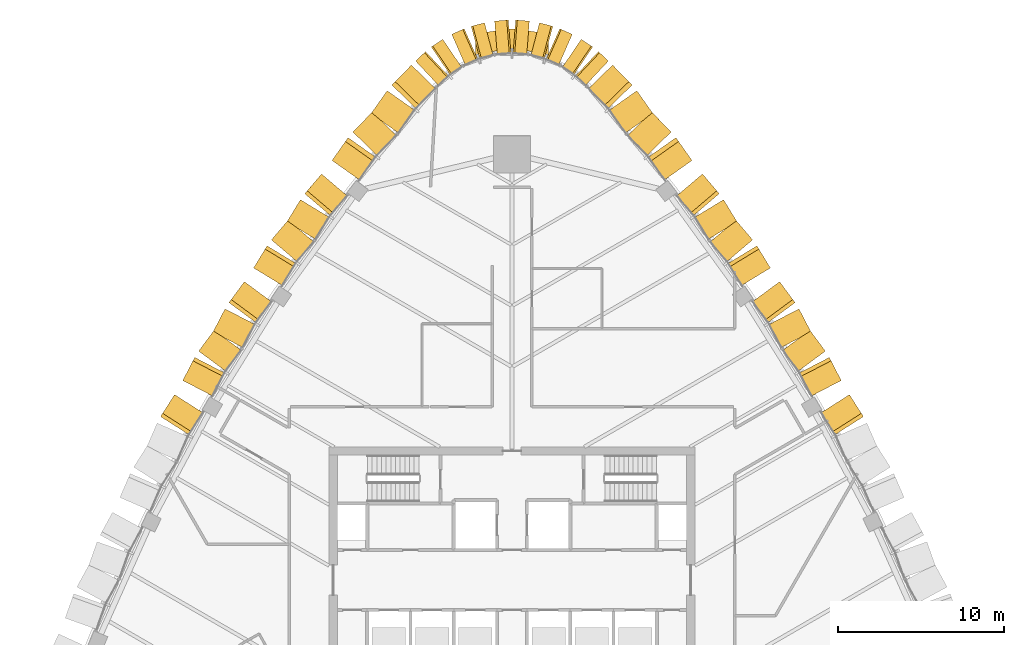
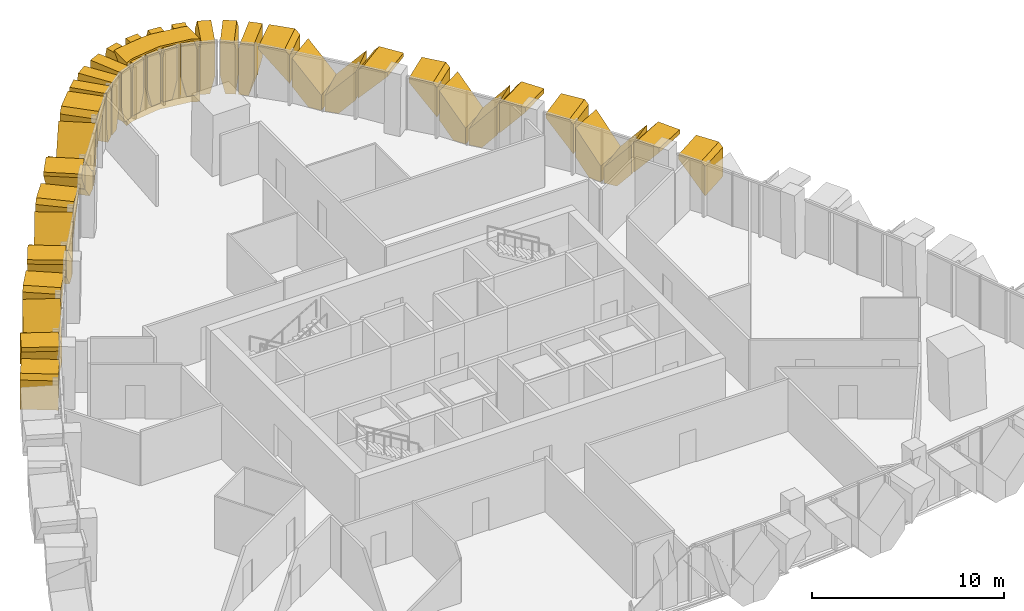
# One storey, part 18 of 19: 37 coverings.
"""IFC4 building model written with IfcOpenShell, lengths in metres."""

from ifc_helpers import new_model, si_unit, direction, frame, origin, place, context, subcontext, project, spatial, polyline, outline, extrude, material, layer, layer_set, type_object, element, save


model = new_model("IFC4")

# Units and contexts
model_context = context("Model", 3, precision=1e-05, world=origin(), true_north=direction((0.0, 1.0)))
body_context = subcontext(model_context, "Body", "Model", "MODEL_VIEW")
ifc_project = project(units=[si_unit("LENGTHUNIT", "METRE"), si_unit("AREAUNIT", "SQUARE_METRE"), si_unit("VOLUMEUNIT", "CUBIC_METRE"), si_unit("PLANEANGLEUNIT", "RADIAN"), si_unit("MASSUNIT", "GRAM", prefix="KILO")], contexts=[model_context])

# Site, building, storey
site_placement = place(None, origin())
site = spatial("IfcSite", under=ifc_project, at=site_placement, CompositionType="ELEMENT")
building_placement = place(site_placement, origin())
building = spatial("IfcBuilding", under=site, at=building_placement, Name="Sierra Prisma Convention Tower", CompositionType="ELEMENT")
storey_placement = place(building_placement, frame((0.0, 0.0, 235.0)))
storey = spatial("IfcBuildingStorey", under=building, at=storey_placement, Name="L52", CompositionType="ELEMENT", Elevation=235.0)

# Coverings
ifc_material_1 = material(Name="Aluminium composite bronze anodised", Category="aluminium")
ifc_layer_1 = layer(ifc_material_1, 1.199951171875)
ifc_layer_set_1 = layer_set([ifc_layer_1], Name="Bronze corner pier")
covering_type_1 = type_object("IfcCoveringType", Name="Bronze corner pier", PredefinedType="CLADDING", material=ifc_layer_set_1)
covering_1_placement = place(storey_placement, frame((0.0, 0.0, -0.60009765625)))
element("IfcCovering", 1, at=covering_1_placement, inside=storey, type_object=covering_type_1, Name="Corner pier N L52.1", PredefinedType="CLADDING", context=body_context, shape_type="SweptSolid", body=[
    extrude(outline(polyline([(-1.918212890625, 32.8671875), (-0.16796875, 33.114501953125), (0.16796875, 33.114501953125), (1.918212890625, 32.8671875), (2.199951171875, 32.785888671875), (2.199951171875, 31.4775390625), (1.750244140625, 31.678955078125), (0.0, 31.926513671875), (-1.750244140625, 31.678955078125), (-2.199951171875, 31.4775390625), (-2.199951171875, 32.785888671875), (-1.918212890625, 32.8671875)])), origin(), (0.0, 0.0, 1.0), 4.0),
])
ifc_material_2 = material(Name="Aluminium 6063-T6 bronze anodised", Category="aluminium")
ifc_layer_2 = layer(ifc_material_2, 2.0)
ifc_layer_set_2 = layer_set([ifc_layer_2], Name="Bronze crystal chevron frame")
covering_type_2 = type_object("IfcCoveringType", Name="Bronze crystal chevron frame", PredefinedType="CLADDING", material=ifc_layer_set_2)
covering_2_placement = place(storey_placement, frame((20.276611328125, 11.14013671875, 3.280029296875), z_axis=(0.842956624337, 0.537981531844, 2.9696694e-05), x_axis=(0.537981532081, -0.842956624708, 1.416e-09)))
element("IfcCovering", 2, at=covering_2_placement, inside=storey, type_object=covering_type_2, Name="CW-2 chevron frame NE3.2.2", PredefinedType="CLADDING", context=body_context, shape_type="SweptSolid", body=[
    extrude(outline(polyline([(0.0, 0.0), (1.3333891702664689, 0.0), (1.564265397839069, 0.2731933617103929), (1.5642653952055867, 2.133056642140292), (-3.978916040191038e-10, 0.28100585925109134), (0.0, 0.0)])), origin(), (0.0, 0.0, -1.0), 2.0),
])
covering_3_placement = place(storey_placement, frame((19.785888671875, 11.989990234375, 3.280029296875), z_axis=(0.887361463635, 0.46107443022, -5.1499355e-05), x_axis=(-4.5698543e-05, -2.3745036e-05, -0.999999998674)))
element("IfcCovering", 3, at=covering_3_placement, inside=storey, type_object=covering_type_2, Name="CW-2 chevron frame NE4.1.1", PredefinedType="CLADDING", context=body_context, shape_type="SweptSolid", body=[
    extrude(outline(polyline([(0.0, 0.0), (0.2810058590023604, 0.0), (2.13305663852093, 1.5641269033527403), (0.27319335973727943, 1.5641269033527403), (-5.677977922403476e-09, 1.3335025480414506), (0.0, 0.0)])), origin(), (0.0, 0.0, -1.0), 2.0),
])
covering_4_placement = place(storey_placement, frame((18.830078125, 13.754150390625, 2.85302734375), z_axis=(0.804369603079, 0.594129229051, 2.8812189e-05), x_axis=(2.3175649e-05, 1.7118164e-05, -0.999999999585)))
element("IfcCovering", 4, at=covering_4_placement, inside=storey, type_object=covering_type_2, Name="CW-2 chevron frame NE4.1.2", PredefinedType="CLADDING", context=body_context, shape_type="SweptSolid", body=[
    extrude(outline(polyline([(0.0, 0.0), (1.8598632804780246, 3.1507309532144824e-21), (2.8530273457651623, 0.8388416359445785), (2.8530273433902584, 1.5640069367900642), (1.8520507813057348, 1.5640069367900642), (0.0, 0.0)])), origin(), (0.0, 0.0, -1.0), 2.0),
])
covering_5_placement = place(storey_placement, frame((17.966552734375, 14.906982421875, 0.0), z_axis=(0.887351586616, 0.461093441014, -1.9573575e-05), x_axis=(-0.461093441103, 0.887351586786, -1.511e-09)))
element("IfcCovering", 5, at=covering_5_placement, inside=storey, type_object=covering_type_2, Name="CW-2 chevron frame NE4.2.1", PredefinedType="CLADDING", context=body_context, shape_type="SweptSolid", body=[
    extrude(outline(polyline([(0.0, 0.0), (0.7252824211619255, 0.0), (1.564126901794327, 0.9931640650539874), (1.5641268989836707, 2.8530273459477073), (-1.5126923322811459e-09, 1.0009765623082505), (0.0, 0.0)])), origin(), (0.0, 0.0, -1.0), 2.0),
])
covering_6_placement = place(storey_placement, frame((16.08154296875, 17.92919921875, 3.280029296875), z_axis=(0.804377595842, 0.594118407844, -2.7726405e-05), x_axis=(0.594118408073, -0.804377596151, 1.234e-09)))
element("IfcCovering", 6, at=covering_6_placement, inside=storey, type_object=covering_type_2, Name="CW-2 chevron frame NE4.2.2", PredefinedType="CLADDING", context=body_context, shape_type="SweptSolid", body=[
    extrude(outline(polyline([(0.0, 0.0), (1.3333850132045626, 0.0), (1.5640069366962919, 0.27319336141046724), (1.5640069344006577, 2.133056641945579), (-3.468462944981872e-10, 0.28100585926698796), (0.0, 0.0)])), origin(), (0.0, 0.0, -1.0), 2.0),
])
covering_7_placement = place(storey_placement, frame((15.527587890625, 18.75390625, 3.280029296875), z_axis=(0.853897348588, 0.520441462486, 4.6900773e-05), x_axis=(4.0048446e-05, 2.4409107e-05, -0.9999999989)))
element("IfcCovering", 7, at=covering_7_placement, inside=storey, type_object=covering_type_2, Name="CW-2 chevron frame NE5.1.1", PredefinedType="CLADDING", context=body_context, shape_type="SweptSolid", body=[
    extrude(outline(polyline([(0.0, 0.0), (0.2836914059379845, 0.0), (2.1350097638713224, 1.556504381165533), (0.27026367217224717, 1.556504381165533), (-4.7258804186206234e-09, 1.3292724326805683), (0.0, 0.0)])), origin(), (0.0, 0.0, -1.0), 2.0),
])
covering_8_placement = place(storey_placement, frame((14.457763671875, 20.4423828125, 2.85498046875), z_axis=(0.761959323928, 0.647624882643, 7.798663e-06), x_axis=(5.942264e-06, 5.050608e-06, -0.99999999997)))
element("IfcCovering", 8, at=covering_8_placement, inside=storey, type_object=covering_type_2, Name="CW-2 chevron frame NE5.1.2", PredefinedType="CLADDING", context=body_context, shape_type="SweptSolid", body=[
    extrude(outline(polyline([(0.0, 0.0), (1.8647460936932938, 0.0), (2.854980468897861, 0.8324038243516556), (2.8549804687234066, 1.5565531094406915), (1.8513183593789273, 1.5565531094406915), (0.0, 0.0)])), origin(), (0.0, 0.0, -1.0), 2.0),
])
covering_9_placement = place(storey_placement, frame((13.145751953125, 22.145751953125, 0.0), z_axis=(0.853965775969, 0.520329177729, -1.6657955e-05), x_axis=(-0.334820303207, 0.549532571035, 0.765447135949)))
element("IfcCovering", 9, at=covering_9_placement, inside=storey, type_object=covering_type_2, Name="CW-2 chevron frame NE5.2.1", PredefinedType="CLADDING", context=body_context, shape_type="SweptSolid", body=[
    extrude(outline(polyline([(0.0, 0.0), (1.2936678828493604, 0.0), (2.721032439581948, 1.199961839132631), (0.30241918412516305, 1.1999653049061842), (-0.46583110295622837, 0.5541099604869324), (0.0, 0.0)])), origin(), (0.0, 0.0, -1.0), 2.0),
])
covering_10_placement = place(storey_placement, frame((11.44482421875, 24.402099609375, 3.280029296875), z_axis=(0.761965998696, 0.647617028716, 3.0788721e-05), x_axis=(0.647617029023, -0.761965999057, 1.532e-09)))
element("IfcCovering", 10, at=covering_10_placement, inside=storey, type_object=covering_type_2, Name="CW-2 chevron frame NE5.2.2", PredefinedType="CLADDING", context=body_context, shape_type="SweptSolid", body=[
    extrude(outline(polyline([(0.0, 0.0), (1.3293199644589664, 3.3881317890172014e-21), (1.5565531090235458, 0.2702636743878342), (1.5565531061666382, 2.1350097672539956), (-4.346329618698076e-10, 0.28369140611553806), (0.0, 0.0)])), origin(), (0.0, 0.0, -1.0), 2.0),
])
covering_11_placement = place(storey_placement, frame((10.818115234375, 25.2119140625, 3.280029296875), z_axis=(0.816465207572, 0.577394635165, -1.0319785e-05), x_axis=(-8.425745e-06, -5.958588e-06, -0.999999999947)))
element("IfcCovering", 11, at=covering_11_placement, inside=storey, type_object=covering_type_2, Name="CW-2 chevron frame NE6.1.1", PredefinedType="CLADDING", context=body_context, shape_type="SweptSolid", body=[
    extrude(outline(polyline([(0.0, 0.0), (0.24218749998710376, 2.0514079191315086e-22), (2.1035156249212705, 1.6799048881881031), (0.3125000000166403, 1.6799048881881031), (-2.1653196928643075e-10, 1.3979105247952082), (0.0, 0.0)])), origin(), (0.0, 0.0, -1.0), 2.0),
])
covering_12_placement = place(storey_placement, frame((9.564453125, 26.92431640625, 2.823486328125), z_axis=(0.716115076214, 0.697982232054, 3.6823955e-05), x_axis=(2.6370189e-05, 2.5702466e-05, -0.999999999322)))
element("IfcCovering", 12, at=covering_12_placement, inside=storey, type_object=covering_type_2, Name="CW-2 chevron frame NE6.1.2", PredefinedType="CLADDING", context=body_context, shape_type="SweptSolid", body=[
    extrude(outline(polyline([(0.0, 0.0), (1.7910156237856882, 0.0), (2.8234863313440193, 0.9316086889257069), (2.823486327610705, 1.6800350978523753), (1.8613281251380502, 1.6800350978523753), (0.0, 0.0)])), origin(), (0.0, 0.0, -1.0), 2.0),
])
covering_13_placement = place(storey_placement, frame((8.471435546875, 28.03173828125, 0.0), z_axis=(0.816507797711, 0.577334405781, -1.3370957e-05), x_axis=(-0.577334405832, 0.816507797784, -6.58e-10)))
element("IfcCovering", 13, at=covering_13_placement, inside=storey, type_object=covering_type_2, Name="CW-2 chevron frame NE6.2.1", PredefinedType="CLADDING", context=body_context, shape_type="SweptSolid", body=[
    extrude(outline(polyline([(0.0, 0.0), (0.7484377236759792, -8.470329472543003e-22), (1.6801042254246623, 1.0324707043222352), (1.680104224246779, 2.8234863291621344), (-6.327751543198486e-10, 0.9621582030389916), (0.0, 0.0)])), origin(), (0.0, 0.0, -1.0), 2.0),
])
covering_14_placement = place(storey_placement, frame((6.045166015625, 30.947265625, 3.280029296875), z_axis=(0.716058221525, 0.698040559842, -1.421903e-05), x_axis=(0.698040559913, -0.716058221597, 2.94e-10)))
element("IfcCovering", 14, at=covering_14_placement, inside=storey, type_object=covering_type_2, Name="CW-2 chevron frame NE6.2.2", PredefinedType="CLADDING", context=body_context, shape_type="SweptSolid", body=[
    extrude(outline(polyline([(0.0, 0.0), (1.3979264713181312, 0.0), (1.6798602701887413, 0.3125000005255709), (1.6798602696620748, 2.1035156253445164), (-7.121772660839596e-11, 0.24218749997551714), (0.0, 0.0)])), origin(), (0.0, 0.0, -1.0), 2.0),
])
covering_15_placement = place(storey_placement, frame((5.794921875, 31.1923828125, 3.280029296875), z_axis=(0.683789833936, 0.729679013441, 1.8689572e-05), x_axis=(1.2779739e-05, 1.3637388e-05, -0.999999999825)))
element("IfcCovering", 15, at=covering_15_placement, inside=storey, type_object=covering_type_2, Name="CW-2 chevron frame N1.1.1", PredefinedType="CLADDING", context=body_context, shape_type="SweptSolid", body=[
    extrude(outline(polyline([(0.0, 0.0), (2.1289062496281863, 0.0), (3.2800292975698486, 0.2734205974052751), (3.280029296587184, 0.8251041879790697), (0.40991210958845026, 0.8251041879790697), (-7.166438647005402e-10, 0.7276893399210631), (0.0, 0.0)])), origin(), (0.0, 0.0, -1.0), 2.0),
])
covering_16_placement = place(storey_placement, frame((4.846435546875, 32.033203125, 0.0), z_axis=(0.560975984853, 0.827832074876, 1.4988141e-05), x_axis=(-0.827832074969, 0.560975984916, -6.96e-10)))
element("IfcCovering", 16, at=covering_16_placement, inside=storey, type_object=covering_type_2, Name="CW-2 chevron frame N1.1.2", PredefinedType="CLADDING", context=body_context, shape_type="SweptSolid", body=[
    extrude(outline(polyline([(0.0, 0.0), (0.5518045315284513, 0.0), (0.8251671410842162, 1.1511230474710084), (0.8251671396018279, 3.280029297231885), (0.09757593459007491, 3.2800292974844467), (-1.99850416788336e-09, 2.8701171871776228), (0.0, 0.0)])), origin(), (0.0, 0.0, -1.0), 2.0),
])
covering_17_placement = place(storey_placement, frame((3.62353515625, 32.794921875, 3.280029296875), z_axis=(0.40361908547, 0.914927119392, -6.646616e-06), x_axis=(-2.682701e-06, -6.081169e-06, -0.999999999978)))
element("IfcCovering", 17, at=covering_17_placement, inside=storey, type_object=covering_type_2, Name="CW-2 chevron frame N2.1.1", PredefinedType="CLADDING", context=body_context, shape_type="SweptSolid", body=[
    extrude(outline(polyline([(0.0, 0.0), (2.128906249952975, 0.0), (3.280029297066246, 0.2734951474694042), (3.280029296850615, 0.825071065873508), (0.40991210941401246, 0.825071065873508), (1.9345042824267758e-11, 0.7276757847827342), (0.0, 0.0)])), origin(), (0.0, 0.0, -1.0), 2.0),
])
covering_18_placement = place(storey_placement, frame((1.916748046875, 33.415771484375, 0.0), z_axis=(0.255682201737, 0.966760886484, 8.909308e-06), x_axis=(-0.223270854833, 0.059040157793, 0.972966795502)))
element("IfcCovering", 18, at=covering_18_placement, inside=storey, type_object=covering_type_2, Name="CW-2 chevron frame N2.1.2", PredefinedType="CLADDING", context=body_context, shape_type="SweptSolid", body=[
    extrude(outline(polyline([(0.0, 0.0), (1.1831061989382854, -5.551115123125783e-17), (3.254461290925348, 0.4916603541354352), (3.086435916654587, 1.1995478457528395), (2.6650941452413295, 1.1997186379785434), (-0.12743457739627398, 0.5368792889858627), (0.0, 0.0)])), origin(), (0.0, 0.0, -1.0), 2.0),
])
covering_19_placement = place(storey_placement, frame((1.044189453125, 33.589111328125, 3.280029296875), z_axis=(0.078410163295, 0.996921183585, -3.523612e-06), x_axis=(-2.76287e-07, -3.512764e-06, -0.999999999994)))
element("IfcCovering", 19, at=covering_19_placement, inside=storey, type_object=covering_type_2, Name="CW-2 chevron frame N3.1.1", PredefinedType="CLADDING", context=body_context, shape_type="SweptSolid", body=[
    extrude(outline(polyline([(0.0, 0.0), (2.128906249986784, -1.1270335846035002e-22), (3.2800292966625233, 0.2733066736467959), (3.2800292968371974, 0.8250503322242504), (0.4099121093550149, 0.8250503322242504), (-2.778301157363217e-10, 0.7275880895164191), (0.0, 0.0)])), origin(), (0.0, 0.0, -1.0), 2.0),
])
covering_20_placement = place(storey_placement, frame((-0.2216796875, 33.65380859375, 0.0), z_axis=(-0.078410163295, 0.996921183585, -3.523612e-06), x_axis=(-0.996921183591, -0.078410163295, 3.17e-10)))
element("IfcCovering", 20, at=covering_20_placement, inside=storey, type_object=covering_type_2, Name="CW-2 chevron frame N3.1.2", PredefinedType="CLADDING", context=body_context, shape_type="SweptSolid", body=[
    extrude(outline(polyline([(0.0, 0.0), (0.5517436585774544, 0.0), (0.8250503325886788, 1.151123046589215), (0.8250503332626586, 3.2800292965759996), (0.09746224374623957, 3.280029297084173), (9.086361699407962e-10, 2.870117187482183), (0.0, 0.0)])), origin(), (0.0, 0.0, -1.0), 2.0),
])
covering_21_placement = place(storey_placement, frame((-1.652587890625, 33.485595703125, 3.280029296875), z_axis=(-0.255682201737, 0.966760886484, 8.909308e-06), x_axis=(-2.277952e-06, 8.613171e-06, -0.99999999996)))
element("IfcCovering", 21, at=covering_21_placement, inside=storey, type_object=covering_type_2, Name="CW-2 chevron frame N4.1.1", PredefinedType="CLADDING", context=body_context, shape_type="SweptSolid", body=[
    extrude(outline(polyline([(0.0, 0.0), (2.1289062499155085, 0.0), (3.280029297080942, 0.27323251682544125), (3.280029296815182, 0.8250286226998236), (0.40991210942909057, 0.8250286226998236), (-1.1174111878740564e-10, 0.7275556522955544), (0.0, 0.0)])), origin(), (0.0, 0.0, -1.0), 2.0),
])
covering_22_placement = place(storey_placement, frame((-2.86865234375, 33.1279296875, 0.0), z_axis=(-0.40361908547, 0.914927119392, -6.646616e-06), x_axis=(-0.914927119413, -0.403619085479, -3.91e-10)))
element("IfcCovering", 22, at=covering_22_placement, inside=storey, type_object=covering_type_2, Name="CW-2 chevron frame N4.1.2", PredefinedType="CLADDING", context=body_context, shape_type="SweptSolid", body=[
    extrude(outline(polyline([(0.0, 0.0), (0.5515759184041038, 0.0), (0.8250710654234926, 1.1511230472201899), (0.8250710645912268, 3.280029297173165), (0.0973952798084927, 3.2800292968693454), (-1.1220317093304904e-09, 2.8701171874366027), (0.0, 0.0)])), origin(), (0.0, 0.0, -1.0), 2.0),
])
covering_23_placement = place(storey_placement, frame((-4.163330078125, 32.49609375, 3.280029296875), z_axis=(-0.560975984853, 0.827832074876, 1.4988141e-05), x_axis=(-8.407987e-06, 1.2407664e-05, -0.999999999888)))
element("IfcCovering", 23, at=covering_23_placement, inside=storey, type_object=covering_type_2, Name="CW-2 chevron frame N5.1.1", PredefinedType="CLADDING", context=body_context, shape_type="SweptSolid", body=[
    extrude(outline(polyline([(0.0, 0.0), (2.1289062497608766, 0.0), (3.280029297041539, 0.2733626103573085), (3.2800292966573092, 0.8251671418857598), (0.40991210947968687, 0.8251671418857598), (-7.591938233987683e-10, 0.727591205011753), (0.0, 0.0)])), origin(), (0.0, 0.0, -1.0), 2.0),
])
covering_24_placement = place(storey_placement, frame((-5.595458984375, 31.37939453125, 0.0), z_axis=(-0.683789833936, 0.729679013441, 1.8689572e-05), x_axis=(-0.168613125762, -0.15803404347, 0.972931063809)))
element("IfcCovering", 24, at=covering_24_placement, inside=storey, type_object=covering_type_2, Name="CW-2 chevron frame N5.1.2", PredefinedType="CLADDING", context=body_context, shape_type="SweptSolid", body=[
    extrude(outline(polyline([(0.0, 0.0), (1.1831496501237533, 5.551115123125783e-17), (3.254428672686726, 0.4919807215699877), (3.086262918506001, 1.199972285471409), (2.6649345567872422, 1.2000213601831538), (-0.12749161170476533, 0.5367501029839824), (0.0, 0.0)])), origin(), (0.0, 0.0, -1.0), 2.0),
])
covering_25_placement = place(storey_placement, frame((-6.045166015625, 30.947265625, 3.280029296875), z_axis=(-0.716058221525, 0.698040559842, -1.421903e-05), x_axis=(1.0181653e-05, -9.92546e-06, -0.999999999899)))
element("IfcCovering", 25, at=covering_25_placement, inside=storey, type_object=covering_type_2, Name="CW-2 chevron frame NW1.1.1", PredefinedType="CLADDING", context=body_context, shape_type="SweptSolid", body=[
    extrude(outline(polyline([(0.0, 0.0), (0.24218749997551717, 0.0), (2.1035156248505364, 1.679860270280635), (0.3125000000315908, 1.679860270280635), (-4.110746643120255e-10, 1.3979264713181312), (0.0, 0.0)])), origin(), (0.0, 0.0, -1.0), 2.0),
])
covering_26_placement = place(storey_placement, frame((-7.50146484375, 29.403564453125, 2.823486328125), z_axis=(-0.816507797711, 0.577334405781, -1.3370957e-05), x_axis=(1.091749e-05, -7.719513e-06, -0.999999999911)))
element("IfcCovering", 26, at=covering_26_placement, inside=storey, type_object=covering_type_2, Name="CW-2 chevron frame NW1.1.2", PredefinedType="CLADDING", context=body_context, shape_type="SweptSolid", body=[
    extrude(outline(polyline([(0.0, 0.0), (1.791015624839899, 0.0), (2.8234863285494125, 0.9316665024277), (2.823486328057193, 1.6801042261036794), (1.8613281250182014, 1.6801042261036794), (0.0, 0.0)])), origin(), (0.0, 0.0, -1.0), 2.0),
])
covering_27_placement = place(storey_placement, frame((-8.391845703125, 28.12744140625, 0.0), z_axis=(-0.716115076214, 0.697982232054, 3.6823955e-05), x_axis=(-0.697982232527, -0.716115076699, -4.988e-09)))
element("IfcCovering", 27, at=covering_27_placement, inside=storey, type_object=covering_type_2, Name="CW-2 chevron frame NW1.2.1", PredefinedType="CLADDING", context=body_context, shape_type="SweptSolid", body=[
    extrude(outline(polyline([(0.0, 0.0), (0.7484264089266683, 0.0), (1.6800350927021868, 1.0324707122053975), (1.680035083768211, 2.8234863359910856), (-4.799454475401126e-09, 0.9621582024726549), (0.0, 0.0)])), origin(), (0.0, 0.0, -1.0), 2.0),
])
covering_28_placement = place(storey_placement, frame((-10.818115234375, 25.2119140625, 3.280029296875), z_axis=(-0.816465207572, 0.577394635165, -1.0319785e-05), x_axis=(0.577394635196, 0.816465207616, 1.55e-10)))
element("IfcCovering", 28, at=covering_28_placement, inside=storey, type_object=covering_type_2, Name="CW-2 chevron frame NW1.2.2", PredefinedType="CLADDING", context=body_context, shape_type="SweptSolid", body=[
    extrude(outline(polyline([(0.0, 0.0), (1.3979105247952084, 0.0), (1.6799048881396978, 0.3125000002768523), (1.679904887862275, 2.103515625181483), (-3.7514086472980144e-11, 0.24218749998710376), (0.0, 0.0)])), origin(), (0.0, 0.0, -1.0), 2.0),
])
covering_29_placement = place(storey_placement, frame((-11.44580078125, 24.400634765625, 3.280029296875), z_axis=(-0.761918382588, 0.647673042755, 8.9239119e-05), x_axis=(-6.7992925e-05, 5.7797772e-05, -0.999999996018)))
element("IfcCovering", 29, at=covering_29_placement, inside=storey, type_object=covering_type_2, Name="CW-2 chevron frame NW2.1.1", PredefinedType="CLADDING", context=body_context, shape_type="SweptSolid", body=[
    extrude(outline(polyline([(0.0, 0.0), (0.28393554574442254, 0.0), (2.1352538999001016, 1.55602295207906), (0.2702636729511387, 1.55602295207906), (-1.7113229164376735e-08, 1.3289758174705912), (0.0, 0.0)])), origin(), (0.0, 0.0, -1.0), 2.0),
])
covering_30_placement = place(storey_placement, frame((-12.71337890625, 22.855712890625, 2.855224609375), z_axis=(-0.853929175655, 0.520389241783, 1.092857e-06), x_axis=(-9.33222e-07, 5.68711e-07, -0.999999999999)))
element("IfcCovering", 30, at=covering_30_placement, inside=storey, type_object=covering_type_2, Name="CW-2 chevron frame NW2.1.2", PredefinedType="CLADDING", context=body_context, shape_type="SweptSolid", body=[
    extrude(outline(polyline([(0.0, 0.0), (1.8649902343738862, 1.9746352185289308e-22), (2.855224609377904, 0.8322652210101615), (2.8552246093744773, 1.5561688520726933), (1.851318359375077, 1.5561688520726933), (0.0, 0.0)])), origin(), (0.0, 0.0, -1.0), 2.0),
])
covering_31_placement = place(storey_placement, frame((-13.450439453125, 21.627685546875, 0.0), z_axis=(-0.762062522136, 0.64750344528, -2.6576709e-05), x_axis=(-0.647503445508, -0.762062522405, -2.8e-09)))
element("IfcCovering", 31, at=covering_31_placement, inside=storey, type_object=covering_type_2, Name="CW-2 chevron frame NW2.2.1", PredefinedType="CLADDING", context=body_context, shape_type="SweptSolid", body=[
    extrude(outline(polyline([(0.0, 0.0), (0.723647058116266, 1.6940658945086007e-21), (1.556050873920442, 0.9902343797069799), (1.5560508686980792, 2.8552246134233386), (-2.8111475341014875e-09, 1.0039062496454598), (0.0, 0.0)])), origin(), (0.0, 0.0, -1.0), 2.0),
])
covering_32_placement = place(storey_placement, frame((-15.527587890625, 18.75390625, 3.280029296875), z_axis=(-0.853886654401, 0.520459010318, -3.702345e-06), x_axis=(0.520459010322, 0.853886654407, 2.2e-11)))
element("IfcCovering", 32, at=covering_32_placement, inside=storey, type_object=covering_type_2, Name="CW-2 chevron frame NW2.2.2", PredefinedType="CLADDING", context=body_context, shape_type="SweptSolid", body=[
    extrude(outline(polyline([(0.0, 0.0), (1.3289369008610066, 0.0), (1.5559603785393736, 0.27026367191134043), (1.555960378498036, 2.135253906273558), (-6.2934764529548955e-12, 0.283935546873054), (0.0, 0.0)])), origin(), (0.0, 0.0, -1.0), 2.0),
])
covering_33_placement = place(storey_placement, frame((-16.08154296875, 17.928955078125, 3.280029296875), z_axis=(-0.804377595842, 0.594118407844, -2.7726405e-05), x_axis=(2.2302499e-05, -1.6472768e-05, -0.999999999616)))
element("IfcCovering", 33, at=covering_33_placement, inside=storey, type_object=covering_type_2, Name="CW-2 chevron frame NW3.1.1", PredefinedType="CLADDING", context=body_context, shape_type="SweptSolid", body=[
    extrude(outline(polyline([(0.0, 0.0), (0.2810058592669879, 4.760424425242674e-22), (2.1330566400151207, 1.5640069370334952), (0.27319335948000917, 1.5640069370334952), (-1.6458007394456044e-09, 1.3333850132045626), (0.0, 0.0)])), origin(), (0.0, 0.0, -1.0), 2.0),
])
covering_34_placement = place(storey_placement, frame((-17.24560546875, 16.294677734375, 2.85302734375), z_axis=(-0.887416510805, 0.460968476251, -1.5936843e-05), x_axis=(1.4142618e-05, -7.346382e-06, -0.999999999873)))
element("IfcCovering", 34, at=covering_34_placement, inside=storey, type_object=covering_type_2, Name="CW-2 chevron frame NW3.1.2", PredefinedType="CLADDING", context=body_context, shape_type="SweptSolid", body=[
    extrude(outline(polyline([(0.0, 0.0), (1.8598632810138134, 0.0), (2.853027344366541, 0.8385152888853324), (2.8530273436399365, 1.5640143493915157), (1.8520507812670521, 1.5640143493915157), (0.0, 0.0)])), origin(), (0.0, 0.0, -1.0), 2.0),
])
covering_35_placement = place(storey_placement, frame((-17.90087890625, 15.01220703125, 0.0), z_axis=(-0.804386079175, 0.594106922539, -1.4858775e-05), x_axis=(-0.594106922605, -0.804386079264, -8.71e-10)))
element("IfcCovering", 35, at=covering_35_placement, inside=storey, type_object=covering_type_2, Name="CW-2 chevron frame NW3.2.1", PredefinedType="CLADDING", context=body_context, shape_type="SweptSolid", body=[
    extrude(outline(polyline([(0.0, 0.0), (0.7253616816009418, 0.0), (1.5640069361173963, 0.9931640639715319), (1.5640069344978775, 2.8530273450162187), (-8.716233432515542e-10, 1.0009765623895006), (0.0, 0.0)])), origin(), (0.0, 0.0, -1.0), 2.0),
])
covering_36_placement = place(storey_placement, frame((-19.785888671875, 11.989990234375, 3.280029296875), z_axis=(-0.887419056892, 0.460963574236, 2.6313255e-05), x_axis=(0.460963574396, 0.887419057199, 1.112e-09)))
element("IfcCovering", 36, at=covering_36_placement, inside=storey, type_object=covering_type_2, Name="CW-2 chevron frame NW3.2.2", PredefinedType="CLADDING", context=body_context, shape_type="SweptSolid", body=[
    extrude(outline(polyline([(0.0, 0.0), (1.3335025514094134, 1.6940658945086007e-21), (1.5640143491514054, 0.2731933612081236), (1.5640143470839962, 2.1330566418142505), (-3.123638626262531e-10, 0.28100585927771754), (0.0, 0.0)])), origin(), (0.0, 0.0, -1.0), 2.0),
])
covering_37_placement = place(storey_placement, frame((-20.276611328125, 11.14013671875, 3.280029296875), z_axis=(-0.842956624337, 0.537981531844, 2.9696694e-05), x_axis=(-2.5033025e-05, 1.5976273e-05, -0.999999999559)))
element("IfcCovering", 37, at=covering_37_placement, inside=storey, type_object=covering_type_2, Name="CW-2 chevron frame NW4.1.1", PredefinedType="CLADDING", context=body_context, shape_type="SweptSolid", body=[
    extrude(outline(polyline([(0.0, 0.0), (0.28100585925109134, 0.0), (2.1330566399253628, 1.5642653982258987), (0.27319335949546375, 1.5642653982258987), (-1.888018837587136e-09, 1.3333891702664689), (0.0, 0.0)])), origin(), (0.0, 0.0, -1.0), 2.0),
])

save(model, "model.ifc")
